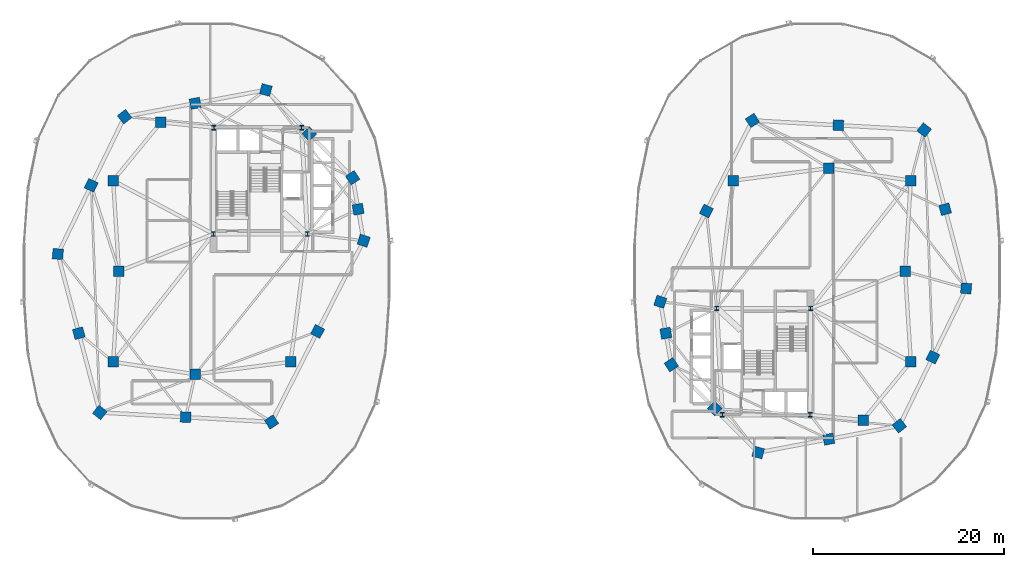
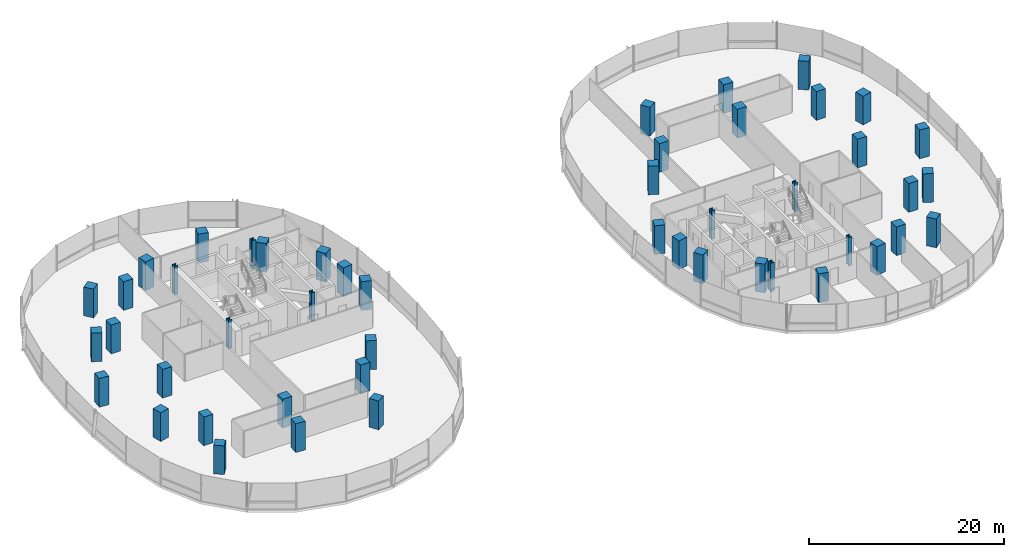
# One storey, part 1 of 20: 48 columns.
"""IFC4 building model written with IfcOpenShell, lengths in metres."""

import ifcopenshell
import ifcopenshell.guid

model = None  # the IFC model being written
_history = None  # IfcOwnerHistory: only IFC2X3 demands one
_inside = {}  # id of a spatial element -> (the spatial element, [elements in it])
_under = {}  # id of a project, library or spatial element -> (it, [spatial elements below it])
_declared = {}  # id of a project -> (the project, [libraries it declares])
_typed = {}  # id of a type object -> (the type object, [elements of that type])
_made_of = {}  # id of a material, layer set ... -> (it, [elements and type objects made of it])


def new_model(schema):
    """Start an empty IFC model of exactly this schema.

    Asked for "IFC4X3", IfcOpenShell would pick the latest addendum, in which some entities
    have other attributes; the version numbers below select the first issue.
    IFC2X3 requires an IfcOwnerHistory on every rooted entity: one is made here for all.
    """
    global model, _history
    if schema == "IFC4X3":
        model = ifcopenshell.file(schema_version=(4, 3, 0, 0))
    else:
        model = ifcopenshell.file(schema=schema)
    _inside.clear()
    _under.clear()
    _declared.clear()
    _typed.clear()
    _made_of.clear()
    _history = None
    if model.schema == "IFC2X3":
        org = make("IfcOrganization", Name="unknown")
        user = make(
            "IfcPersonAndOrganization",
            ThePerson=make("IfcPerson", FamilyName="unknown"),
            TheOrganization=org,
        )
        app = make(
            "IfcApplication",
            ApplicationDeveloper=org,
            Version="unknown",
            ApplicationFullName="unknown",
            ApplicationIdentifier="unknown",
        )
        _history = make(
            "IfcOwnerHistory",
            OwningUser=user,
            OwningApplication=app,
            ChangeAction="ADDED",
            CreationDate=0,
        )
    return model


def make(cls, **values):
    """One entity of the class cls with the attributes given. An attribute that is None is left unset."""
    return model.create_entity(
        cls, **{name: value for name, value in values.items() if value is not None}
    )


def rooted(cls, **values):
    """An entity with a GlobalId (a new one), such as an element, a storey or a relation."""
    return make(cls, GlobalId=ifcopenshell.guid.new(), OwnerHistory=_history, **values)


def si_unit(unit_type, name, prefix=None):
    """IfcSIUnit, for example si_unit("LENGTHUNIT", "METRE", prefix="MILLI")."""
    return make("IfcSIUnit", UnitType=unit_type, Prefix=prefix, Name=name)


def assignment(units):
    """IfcUnitAssignment: the units of a project."""
    return None if units is None else make("IfcUnitAssignment", Units=units)


def point(xyz):
    """IfcCartesianPoint."""
    return None if xyz is None else make("IfcCartesianPoint", Coordinates=xyz)


def direction(xyz):
    """IfcDirection."""
    return None if xyz is None else make("IfcDirection", DirectionRatios=xyz)


def frame(location, z_axis=None, x_axis=None):
    """IfcAxis2Placement3D, a coordinate frame: its origin and axes. An axis left out is left unset."""
    return make(
        "IfcAxis2Placement3D",
        Location=point(location),
        Axis=direction(z_axis),
        RefDirection=direction(x_axis),
    )


def frame_2d(location, x_axis=None):
    """IfcAxis2Placement2D, a coordinate frame in the plane: its origin and x axis."""
    return make(
        "IfcAxis2Placement2D", Location=point(location), RefDirection=direction(x_axis)
    )


def origin():
    """The frame at (0, 0, 0) with its axes left unset."""
    return frame((0.0, 0.0, 0.0))


def origin_2d():
    """The frame at (0, 0) in the plane with its x axis left unset."""
    return frame_2d((0.0, 0.0))


def place(relative_to, where):
    """IfcLocalPlacement: puts the frame where relative to a parent placement (None: the world)."""
    return make(
        "IfcLocalPlacement", PlacementRelTo=relative_to, RelativePlacement=where
    )


def context(
    kind, dimensions, precision=None, world=None, true_north=None, identifier=None
):
    """IfcGeometricRepresentationContext, for example the 3D "Model" context."""
    return make(
        "IfcGeometricRepresentationContext",
        ContextIdentifier=identifier,
        ContextType=kind,
        CoordinateSpaceDimension=dimensions,
        Precision=precision,
        WorldCoordinateSystem=world,
        TrueNorth=true_north,
    )


def subcontext(parent, identifier, kind, view, scale=None):
    """IfcGeometricRepresentationSubContext, for example "Body" below "Model"."""
    return make(
        "IfcGeometricRepresentationSubContext",
        ContextIdentifier=identifier,
        ContextType=kind,
        ParentContext=parent,
        TargetScale=scale,
        TargetView=view,
    )


def project(units=None, contexts=None):
    """IfcProject with its units and contexts."""
    return rooted(
        "IfcProject",
        Name="project",
        RepresentationContexts=contexts,
        UnitsInContext=assignment(units),
    )


def spatial(cls, under=None, at=None, **own):
    """A site, building, storey or space (cls), placed at a placement, below another one or the project."""
    s = rooted(cls, ObjectPlacement=at, **own)
    if under is not None:
        _under.setdefault(under.id(), (under, []))[1].append(s)
    return s


def profile(cls, at=None, kind="AREA", **sizes):
    """A parametric profile (cls). Its sizes go by their IFC names, for example OverallWidth=200.0."""
    return make(cls, ProfileType=kind, Position=at, **sizes)


def rectangle(**sizes):
    """IfcRectangleProfileDef."""
    return profile("IfcRectangleProfileDef", **sizes)


def i_section(**sizes):
    """IfcIShapeProfileDef."""
    return profile("IfcIShapeProfileDef", **sizes)


def extrude(swept, where, along, depth):
    """IfcExtrudedAreaSolid: the profile swept, set in the frame where, extruded along a direction by depth."""
    return make(
        "IfcExtrudedAreaSolid",
        SweptArea=swept,
        Position=where,
        ExtrudedDirection=direction(along),
        Depth=depth,
    )


def shape(context_of_items, identifier, shape_type, items):
    """IfcShapeRepresentation: the items that make up one representation, for example the "Body"."""
    return make(
        "IfcShapeRepresentation",
        ContextOfItems=context_of_items,
        RepresentationIdentifier=identifier,
        RepresentationType=shape_type,
        Items=items,
    )


def material(Name=None, Category=None):
    """IfcMaterial."""
    return make("IfcMaterial", Name=Name, Category=Category)


def material_profile(
    of_material, cross_section, Name=None, Category=None, Priority=None
):
    """IfcMaterialProfile: a cross section and its material."""
    return make(
        "IfcMaterialProfile",
        Name=Name,
        Material=of_material,
        Profile=cross_section,
        Priority=Priority,
        Category=Category,
    )


def profile_set(profiles, Name=None, composite=None):
    """IfcMaterialProfileSet."""
    return make(
        "IfcMaterialProfileSet",
        Name=Name,
        MaterialProfiles=profiles,
        CompositeProfile=composite,
    )


def made_of(thing, what):
    """Note that an element or type object is made of a material, layer set ...; save() writes the relation."""
    if what is not None:
        _made_of.setdefault(what.id(), (what, []))[1].append(thing)
    return thing


def type_object(cls, material=None, **own):
    """A type object (cls), such as IfcWallType, which elements share."""
    return made_of(rooted(cls, **own), material)


def element(
    cls,
    number,
    at=None,
    inside=None,
    cuts=None,
    type_object=None,
    material=None,
    context=None,
    identifier="Body",
    shape_type=None,
    held_by="IfcProductDefinitionShape",
    body=None,
    shapes=None,
    **own,
):
    """One element of the class cls, such as IfcWall. Its Tag is "e" and its number.

    at: its placement. inside: the storey or other place that contains it. cuts: it is an
    opening in that element (IfcRelVoidsElement). A single representation is given by context,
    identifier, shape_type and body (its items); several are given by shapes. held_by: the class
    of the entity that holds the representations. save() writes the other relations.
    """
    e = rooted(cls, Tag="e%d" % number, ObjectPlacement=at, **own)
    if body is not None:
        shapes = [shape(context, identifier, shape_type, body)]
    if shapes is not None:
        e.Representation = make(held_by, Representations=shapes)
    if inside is not None:
        _inside.setdefault(inside.id(), (inside, []))[1].append(e)
    if cuts is not None:
        rooted(
            "IfcRelVoidsElement", RelatingBuildingElement=cuts, RelatedOpeningElement=e
        )
    if type_object is not None:
        _typed.setdefault(type_object.id(), (type_object, []))[1].append(e)
    return made_of(e, material)


def aggregate(whole, parts):
    """IfcRelAggregates: a whole, such as a stair, and the parts it consists of."""
    return rooted("IfcRelAggregates", RelatingObject=whole, RelatedObjects=parts)


def save(model, path):
    """Write the relations noted so far, then the file.

    IfcRelAggregates (storeys below a building ...), IfcRelContainedInSpatialStructure (elements
    in a storey), IfcRelDefinesByType, IfcRelAssociatesMaterial and IfcRelDeclares: one each for
    every whole, place, type object, material and project.
    """
    for whole, parts in _under.values():
        aggregate(whole, parts)
    for where, things in _inside.values():
        rooted(
            "IfcRelContainedInSpatialStructure",
            RelatedElements=things,
            RelatingStructure=where,
        )
    for kind, things in _typed.values():
        rooted("IfcRelDefinesByType", RelatedObjects=things, RelatingType=kind)
    for what, things in _made_of.values():
        rooted("IfcRelAssociatesMaterial", RelatedObjects=things, RelatingMaterial=what)
    for by, libraries in _declared.values():
        rooted("IfcRelDeclares", RelatingContext=by, RelatedDefinitions=libraries)
    model.write(path)


model = new_model("IFC4")

# Units and contexts
model_context = context("Model", 3, precision=1e-05, world=origin(), true_north=direction((0.0, 1.0)))
body_context = subcontext(model_context, "Body", "Model", "MODEL_VIEW")
ifc_project = project(units=[si_unit("LENGTHUNIT", "METRE"), si_unit("AREAUNIT", "SQUARE_METRE"), si_unit("VOLUMEUNIT", "CUBIC_METRE"), si_unit("PLANEANGLEUNIT", "RADIAN"), si_unit("MASSUNIT", "GRAM", prefix="KILO"), si_unit("THERMODYNAMICTEMPERATUREUNIT", "KELVIN"), si_unit("POWERUNIT", "WATT")], contexts=[model_context])

# Site, building, storey
site_placement = place(None, origin())
site = spatial("IfcSite", under=ifc_project, at=site_placement, CompositionType="ELEMENT")
building_placement = place(site_placement, origin())
building = spatial("IfcBuilding", under=site, at=building_placement, Name="Cundina Bronze Exchange", CompositionType="ELEMENT")
storey_placement = place(building_placement, frame((0.0, 0.0, 125.0)))
storey = spatial("IfcBuildingStorey", under=building, at=storey_placement, Name="L32", CompositionType="ELEMENT", Elevation=125.0)

# Columns
ifc_material_1 = material(Name="Steel ASTM A992 Grade 50", Category="steel")
ifc_material_profile_1 = material_profile(ifc_material_1, i_section(OverallWidth=0.431884765625, OverallDepth=0.498046875, WebThickness=0.0556640625, FlangeThickness=0.0888671875, FilletRadius=0.01806640625, at=origin_2d()), Name="W14X500", Category="steel")
ifc_profile_set_1 = profile_set([ifc_material_profile_1], Name="Steel ASTM A992 Grade 50")
column_type_1 = type_object("IfcColumnType", Name="COL-STL-W14A", PredefinedType="COLUMN", material=ifc_profile_set_1)
for number, where, z_axis, x_axis, name in (
    (1, (-31.300048828125, 3.89990234375, 0.0), (0.0, 0.0, 1.0), (1.0, 0.0, 0.0), "L32 Core Anchor Column W1"),
    (2, (-21.449951171875, 3.89990234375, 0.0), (0.0, 0.0, 1.0), (1.0, 0.0, 0.0), "L32 Core Anchor Column W2"),
    (3, (-22.050048828125, 15.050048828125, 0.0), (0.0, 0.0, 1.0), (1.0, 0.0, 0.0), "L32 Core Anchor Column W3"),
    (4, (-31.25, 15.050048828125, 0.0), (0.0, 0.0, 1.0), (1.0, 0.0, 0.0), "L32 Core Anchor Column W4"),
    (5, (31.300048828125, -3.89990234375, 0.0), (0.0, 0.0, 1.0), (1.0, 0.0, 0.0), "L32 Core Anchor Column E1"),
    (6, (21.449951171875, -3.89990234375, 0.0), (0.0, 0.0, 1.0), (1.0, 0.0, 0.0), "L32 Core Anchor Column E2"),
    (7, (22.050048828125, -15.050048828125, 0.0), (0.0, 0.0, 1.0), (1.0, 0.0, 0.0), "L32 Core Anchor Column E3"),
    (8, (31.25, -15.050048828125, 0.0), (0.0, 0.0, 1.0), (1.0, 0.0, 0.0), "L32 Core Anchor Column E4"),
):
    element("IfcColumn", number, at=place(storey_placement, frame(where, z_axis=z_axis, x_axis=x_axis)), inside=storey, type_object=column_type_1, Name=name, PredefinedType="COLUMN", context=body_context, shape_type="SweptSolid", body=[
        extrude(i_section(OverallWidth=0.431884765625, OverallDepth=0.498046875, WebThickness=0.0556640625, FlangeThickness=0.0888671875, FilletRadius=0.01806640625, at=origin_2d()), origin(), (0.0, 0.0, 1.0), 3.60009765625),
    ])
ifc_material_2 = material(Name="Concrete C60/75", Category="concrete")
ifc_material_profile_2 = material_profile(ifc_material_2, rectangle(XDim=1.10009765625, YDim=1.10009765625, at=origin_2d()), Name="RC1100X1100", Category="concrete")
ifc_profile_set_2 = profile_set([ifc_material_profile_2], Name="Concrete C60/75")
column_type_2 = type_object("IfcColumnType", Name="COL-Z2-1100", PredefinedType="COLUMN", material=ifc_profile_set_2)
for number, where, z_axis, x_axis, name in (
    (9, (-41.199951171875, 0.0, 0.0), (0.0, 0.0, 1.0), (1.0, 0.0, 0.0), "L32 W Inner Ring Column 1"),
    (10, (-41.800048828125, 9.5, 0.0), (0.0, 0.0, 1.0), (1.0, 0.0, 0.0), "L32 W Inner Ring Column 2"),
    (11, (-36.800048828125, 15.60009765625, 0.0), (0.0, 0.0, 1.0), (1.0, 0.0, 0.0), "L32 W Inner Ring Column 3"),
    (12, (-41.800048828125, -9.5, 0.0), (0.0, 0.0, 1.0), (1.0, 0.0, 0.0), "L32 W Inner Ring Column 4"),
    (13, (-33.199951171875, -10.800048828125, 0.0), (0.0, 0.0, 1.0), (1.0, 0.0, 0.0), "L32 W Inner Ring Column 5"),
    (14, (-23.199951171875, -9.5, 0.0), (0.0, 0.0, 1.0), (1.0, 0.0, 0.0), "L32 W Inner Ring Column 6"),
    (15, (41.199951171875, 0.0, 0.0), (0.0, 0.0, 1.0), (1.0, 0.0, 0.0), "L32 E Inner Ring Column 1"),
    (16, (41.800048828125, -9.5, 0.0), (0.0, 0.0, 1.0), (1.0, 0.0, 0.0), "L32 E Inner Ring Column 2"),
    (17, (36.800048828125, -15.60009765625, 0.0), (0.0, 0.0, 1.0), (1.0, 0.0, 0.0), "L32 E Inner Ring Column 3"),
    (18, (41.800048828125, 9.5, 0.0), (0.0, 0.0, 1.0), (1.0, 0.0, 0.0), "L32 E Inner Ring Column 4"),
    (19, (33.199951171875, 10.800048828125, 0.0), (0.0, 0.0, 1.0), (1.0, 0.0, 0.0), "L32 E Inner Ring Column 5"),
    (20, (23.199951171875, 9.5, 0.0), (0.0, 0.0, 1.0), (1.0, 0.0, 0.0), "L32 E Inner Ring Column 6"),
    (21, (-15.550048828125, 3.199951171875, 0.0), (0.0, 0.0, 1.0), (0.315152163383, 0.949041155016, 0.0), "L32 W Perimeter Column 00"),
    (22, (-16.125, 6.5, 0.0), (0.0, 0.0, 1.0), (-0.171585221787, 0.985169280715, 0.0), "L32 W Perimeter Column 01"),
    (23, (-16.699951171875, 9.800048828125, 0.0), (0.0, 0.0, 1.0), (-0.544199833495, 0.838955625301, 0.0), "L32 W Perimeter Column 02"),
    (24, (-21.25, 14.39990234375, 0.0), (0.0, 0.0, 1.0), (-0.703270634186, 0.710922228581, 0.0), "L32 W Perimeter Column 03"),
    (25, (-25.800048828125, 19.0, 0.0), (0.0, 0.0, 1.0), (-0.965970984022, 0.258650455301, 0.0), "L32 W Perimeter Column 04"),
    (26, (-33.199951171875, 17.60009765625, 0.0), (0.0, 0.0, 1.0), (-0.98258037664, -0.185838110843, 0.0), "L32 W Perimeter Column 05"),
    (27, (-40.60009765625, 16.199951171875, 0.0), (0.0, 0.0, 1.0), (-0.785100778485, -0.619368038909, 0.0), "L32 W Perimeter Column 06"),
    (28, (-44.10009765625, 9.0, 0.0), (0.0, 0.0, 1.0), (-0.437115766651, -0.899405251566, 0.0), "L32 W Perimeter Column 07"),
    (29, (-47.60009765625, 1.800048828125, 0.0), (0.0, 0.0, 1.0), (-0.083503921245, -0.996507448611, 0.0), "L32 W Perimeter Column 08"),
    (30, (-45.39990234375, -6.5, 0.0), (0.0, 0.0, 1.0), (0.256289373133, -0.966600102017, 0.0), "L32 W Perimeter Column 09"),
    (31, (-43.199951171875, -14.800048828125, 0.0), (0.0, 0.0, 1.0), (0.786288432137, -0.61785961309, 0.0), "L32 W Perimeter Column 10"),
    (32, (-34.199951171875, -15.300048828125, 0.0), (0.0, 0.0, 1.0), (0.998460188734, -0.055472980025, 0.0), "L32 W Perimeter Column 11"),
    (33, (-25.199951171875, -15.800048828125, 0.0), (0.0, 0.0, 1.0), (0.838099763533, 0.545516989988, 0.0), "L32 W Perimeter Column 12"),
    (34, (-20.375, -6.300048828125, 0.0), (0.0, 0.0, 1.0), (0.452901591366, 0.891560513111, 0.0), "L32 W Perimeter Column 13"),
    (35, (15.550048828125, -3.199951171875, 0.0), (0.0, 0.0, 1.0), (-0.315152163383, -0.949041155016, 0.0), "L32 E Perimeter Column 00"),
    (36, (16.125, -6.5, 0.0), (0.0, 0.0, 1.0), (0.171585221787, -0.985169280715, 0.0), "L32 E Perimeter Column 01"),
    (37, (16.699951171875, -9.800048828125, 0.0), (0.0, 0.0, 1.0), (0.544199833495, -0.838955625301, 0.0), "L32 E Perimeter Column 02"),
    (38, (21.25, -14.39990234375, 0.0), (0.0, 0.0, 1.0), (0.703270634186, -0.710922228581, 0.0), "L32 E Perimeter Column 03"),
    (39, (25.800048828125, -19.0, 0.0), (0.0, 0.0, 1.0), (0.965970984022, -0.258650455301, 0.0), "L32 E Perimeter Column 04"),
    (40, (33.199951171875, -17.60009765625, 0.0), (0.0, 0.0, 1.0), (0.98258037664, 0.185838110843, 0.0), "L32 E Perimeter Column 05"),
    (41, (40.60009765625, -16.199951171875, 0.0), (0.0, 0.0, 1.0), (0.785100778485, 0.619368038909, 0.0), "L32 E Perimeter Column 06"),
    (42, (44.10009765625, -9.0, 0.0), (0.0, 0.0, 1.0), (0.437115766651, 0.899405251566, 0.0), "L32 E Perimeter Column 07"),
    (43, (47.60009765625, -1.800048828125, 0.0), (0.0, 0.0, 1.0), (0.083503921245, 0.996507448611, 0.0), "L32 E Perimeter Column 08"),
    (44, (45.39990234375, 6.5, 0.0), (0.0, 0.0, 1.0), (-0.256289373133, 0.966600102017, 0.0), "L32 E Perimeter Column 09"),
    (45, (43.199951171875, 14.800048828125, 0.0), (0.0, 0.0, 1.0), (-0.786288432137, 0.61785961309, 0.0), "L32 E Perimeter Column 10"),
    (46, (34.199951171875, 15.300048828125, 0.0), (0.0, 0.0, 1.0), (-0.998460188734, 0.055472980025, 0.0), "L32 E Perimeter Column 11"),
    (47, (25.199951171875, 15.800048828125, 0.0), (0.0, 0.0, 1.0), (-0.838099763533, -0.545516989988, 0.0), "L32 E Perimeter Column 12"),
    (48, (20.375, 6.300048828125, 0.0), (0.0, 0.0, 1.0), (-0.452901591366, -0.891560513111, 0.0), "L32 E Perimeter Column 13"),
):
    element("IfcColumn", number, at=place(storey_placement, frame(where, z_axis=z_axis, x_axis=x_axis)), inside=storey, type_object=column_type_2, Name=name, PredefinedType="COLUMN", context=body_context, shape_type="SweptSolid", body=[
        extrude(rectangle(XDim=1.10009765625, YDim=1.10009765625, at=origin_2d()), origin(), (0.0, 0.0, 1.0), 3.60009765625),
    ])

save(model, "model.ifc")
